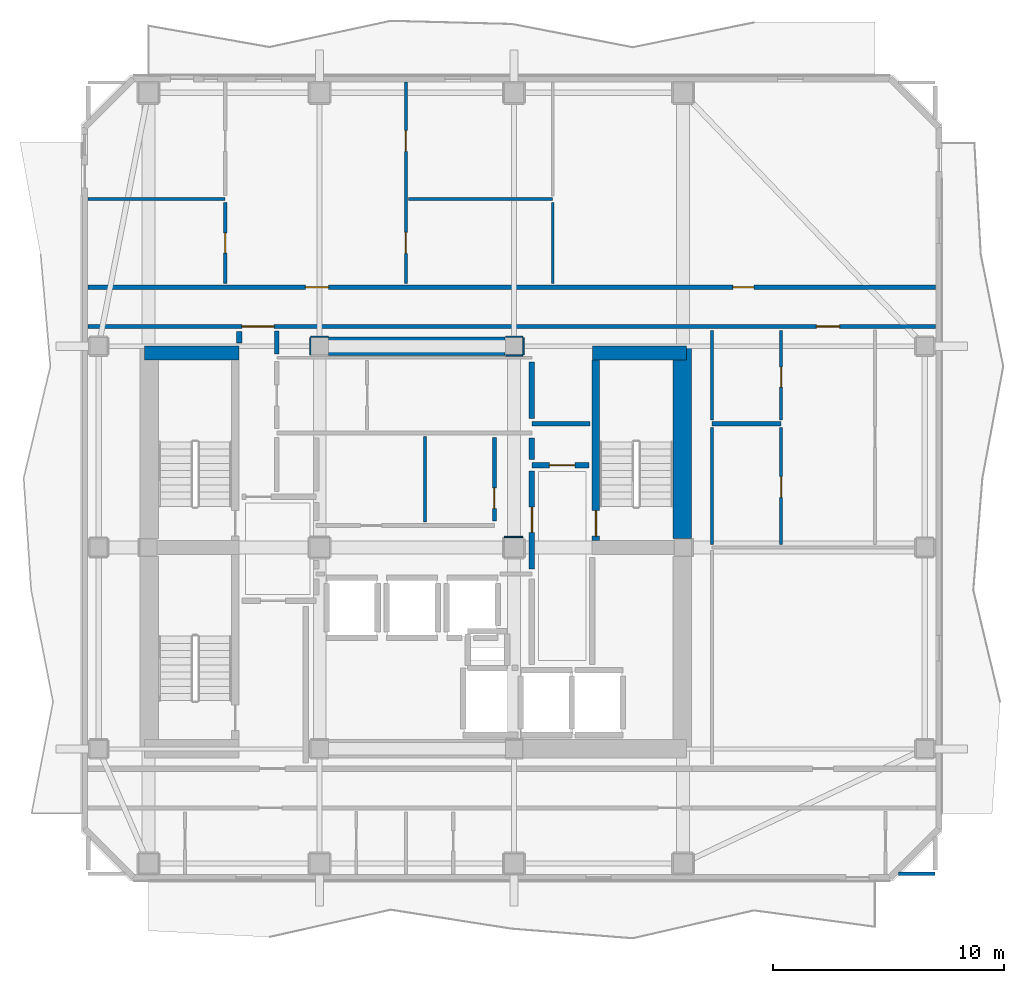
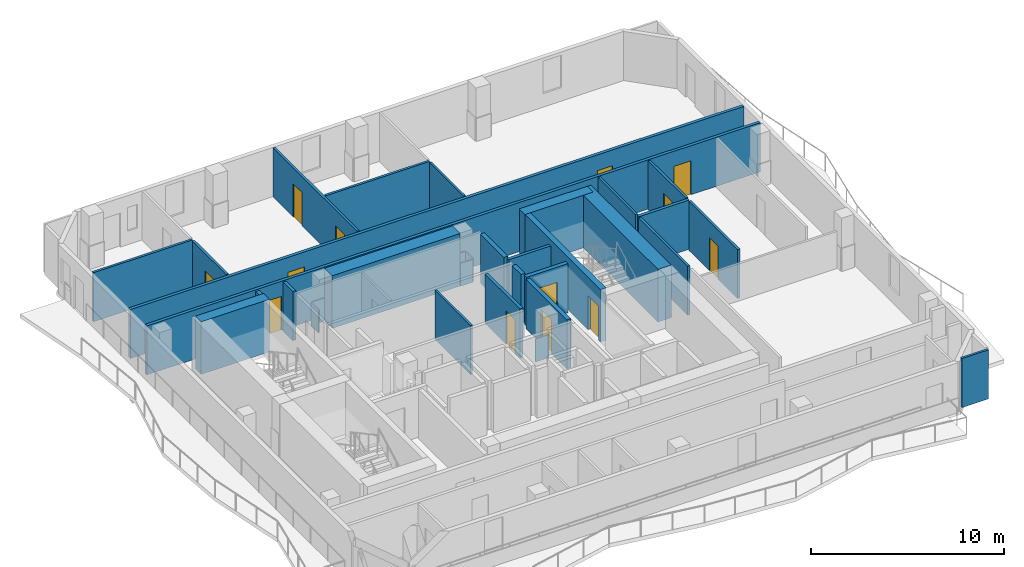
# One storey, part 4 of 9: 33 walls, 13 doors, 13 openings.
"""IFC4 building model written with IfcOpenShell, lengths in metres."""

from ifc_helpers import new_model, si_unit, direction, frame, frame_2d, origin, place, context, subcontext, project, spatial, rectangle, extrude, material, layer, layer_set, type_object, element, fill, save


model = new_model("IFC4")

# Units and contexts
model_context = context("Model", 3, precision=1e-05, world=origin(), true_north=direction((0.0, 1.0)))
body_context = subcontext(model_context, "Body", "Model", "MODEL_VIEW")
ifc_project = project(units=[si_unit("LENGTHUNIT", "METRE"), si_unit("AREAUNIT", "SQUARE_METRE"), si_unit("VOLUMEUNIT", "CUBIC_METRE"), si_unit("PLANEANGLEUNIT", "RADIAN"), si_unit("MASSUNIT", "GRAM", prefix="KILO")], contexts=[model_context])

# Site, building, storey
site_placement = place(None, origin())
site = spatial("IfcSite", under=ifc_project, at=site_placement, CompositionType="ELEMENT")
building_placement = place(site_placement, origin())
building = spatial("IfcBuilding", under=site, at=building_placement, Name="Solanera Arch Residences", CompositionType="ELEMENT")
storey_placement = place(building_placement, frame((0.0, 0.0, 237.919921875)))
storey = spatial("IfcBuildingStorey", under=building, at=storey_placement, Name="L69", CompositionType="ELEMENT", Elevation=237.919921875)

# Walls
ifc_material_1 = material(Name="Fire-Rated Gypsum Stud Partition", Category="gypsum")
ifc_layer_1 = layer(ifc_material_1, 0.06005859375)
ifc_layer_set_1 = layer_set([ifc_layer_1], Name="Fire-Rated Gypsum Stud Partition")
wall_type_1 = type_object("IfcWallType", Name="Column Acoustic Furring Wall 60", PredefinedType="PARTITIONING", material=ifc_layer_set_1)
wall_1_placement = place(storey_placement, frame((20.425048828125, 39.806884765625, 0.0), z_axis=(0.0, 0.0, 1.0), x_axis=(1.0, 0.0, 0.0)))
element("IfcWall", 1, at=wall_1_placement, inside=storey, type_object=wall_type_1, Name="L69 Column Furring 3N", PredefinedType="PARTITIONING", context=body_context, shape_type="SweptSolid", body=[
    extrude(rectangle(XDim=0.741943359375, YDim=0.06005859375, at=frame_2d((0.37109375, 0.0))), origin(), (0.0, 0.0, 1.0), 1.4501953125),
])
wall_2_placement = place(storey_placement, frame((20.39306640625, 39.02490234375, 0.0), z_axis=(0.0, 0.0, 1.0), x_axis=(0.0, 1.0, 0.0)))
element("IfcWall", 2, at=wall_2_placement, inside=storey, type_object=wall_type_1, Name="L69 Column Furring 3W", PredefinedType="PARTITIONING", context=body_context, shape_type="SweptSolid", body=[
    extrude(rectangle(XDim=0.75, YDim=0.06005859375, at=frame_2d((0.375, 0.0))), origin(), (0.0, 0.0, 1.0), 1.4501953125),
])
for number, where, z_axis, x_axis, name in (
    (3, (28.8330078125, 38.992919921875, 0.0), (0.0, 0.0, 1.0), (1.0, 0.0, 0.0), "L69 Column Furring 4S"),
    (4, (28.8330078125, 39.806884765625, 0.0), (0.0, 0.0, 1.0), (1.0, 0.0, 0.0), "L69 Column Furring 4N"),
):
    element("IfcWall", number, at=place(storey_placement, frame(where, z_axis=z_axis, x_axis=x_axis)), inside=storey, type_object=wall_type_1, Name=name, PredefinedType="PARTITIONING", context=body_context, shape_type="SweptSolid", body=[
        extrude(rectangle(XDim=0.741943359375, YDim=0.06005859375, at=frame_2d((0.37109375, 0.0))), origin(), (0.0, 0.0, 1.0), 1.4501953125),
    ])
wall_3_placement = place(storey_placement, frame((29.60693359375, 39.02490234375, 0.0), z_axis=(0.0, 0.0, 1.0), x_axis=(0.0, 1.0, 0.0)))
element("IfcWall", 5, at=wall_3_placement, inside=storey, type_object=wall_type_1, Name="L69 Column Furring 4E", PredefinedType="PARTITIONING", context=body_context, shape_type="SweptSolid", body=[
    extrude(rectangle(XDim=0.75, YDim=0.06005859375, at=frame_2d((0.375, 0.0))), origin(), (0.0, 0.0, 1.0), 1.4501953125),
])
wall_4_placement = place(storey_placement, frame((28.77490234375, 31.156982421875, 0.0), z_axis=(0.0, 0.0, 1.0), x_axis=(1.0, 0.0, 0.0)))
element("IfcWall", 6, at=wall_4_placement, inside=storey, type_object=wall_type_1, Name="L69 Column Furring 8N", PredefinedType="PARTITIONING", context=body_context, shape_type="SweptSolid", body=[
    extrude(rectangle(XDim=0.794189453125, YDim=0.06005859375, at=frame_2d((0.39697265625, 0.0))), origin(), (0.0, 0.0, 1.0), 1.4501953125),
])

# Wall, opening, door
ifc_material_2 = material(Name="Concrete C40/50 (f'c = 45 MPa)", Category="concrete")
ifc_layer_2 = layer(ifc_material_2, 0.320068359375)
ifc_layer_set_2 = layer_set([ifc_layer_2], Name="Concrete C40/50 (f'c = 45 MPa)")
wall_type_2 = type_object("IfcWallType", Name="Core Shear Wall CW-320", PredefinedType="SHEAR", material=ifc_layer_set_2)
wall_5_placement = place(storey_placement, frame((32.739990234375, 31.0, 0.0), z_axis=(0.0, 0.0, 1.0), x_axis=(0.0, 1.0, 0.0)))
wall_5 = element("IfcWall", 7, at=wall_5_placement, inside=storey, type_object=wall_type_2, Name="L69 Stair ST-T2 West Shear Wall", PredefinedType="SHEAR", context=body_context, shape_type="SweptSolid", body=[
    extrude(rectangle(XDim=7.800048828125, YDim=0.320068359375, at=frame_2d((3.89990234375, 0.0))), origin(), (0.0, 0.0, 1.0), 3.320068359375),
])
opening_1_placement = place(wall_5_placement, frame((0.18994140625, 0.0, 0.0)))
opening_1 = element("IfcOpeningElement", 8, at=opening_1_placement, cuts=wall_5, Name="Opening DF-01", PredefinedType="OPENING", context=body_context, shape_type="SweptSolid", body=[
    extrude(rectangle(XDim=1.10009765625, YDim=2.14990234375, at=frame_2d((0.550048828125, 1.074951171875))), frame((0.0, 0.169921875, 0.0), z_axis=(0.0, -1.0, 0.0), x_axis=(1.0, 0.0, 0.0)), (0.0, 0.0, 1.0), 0.3401),
])
ifc_material_3 = material(Name="Fire-Rated Architectural Hardwood", Category="wood")
door_type_1 = type_object("IfcDoorType", Name="Stair Exit Fire Door DF-01", OperationType="NOTDEFINED", PredefinedType="DOOR", material=ifc_material_3)
door_1_placement = place(opening_1_placement, origin())
door_1 = element("IfcDoor", 9, at=door_1_placement, inside=storey, type_object=door_type_1, Name="DR-L69-STAIR-ST-T2", OperationType="SINGLE_SWING_RIGHT", OverallHeight=2.14990234375, OverallWidth=1.10009765625, PredefinedType="DOOR", context=body_context, shape_type="SweptSolid", body=[
    extrude(rectangle(XDim=1.10009765625, YDim=2.14990234375, at=frame_2d((0.550048828125, 1.074951171875))), frame((0.0, 0.02490234375, 0.0), z_axis=(0.0, -1.0, 0.0), x_axis=(1.0, 0.0, 0.0)), (0.0, 0.0, 1.0), 0.050048828125),
])
fill(opening_1, door_1)

# Walls
ifc_material_4 = material(Name="Concrete C40/50 (f'c = 45 MPa)", Category="concrete")
ifc_layer_3 = layer(ifc_material_4, 0.60009765625)
ifc_layer_set_3 = layer_set([ifc_layer_3], Name="Concrete C40/50 (f'c = 45 MPa)")
wall_type_3 = type_object("IfcWallType", Name="Core Shear Wall CW-600", PredefinedType="SHEAR", material=ifc_layer_set_3)
wall_6_placement = place(storey_placement, frame((13.239990234375, 39.10009765625, 0.0), z_axis=(0.0, 0.0, 1.0), x_axis=(1.0, 0.0, 0.0)))
element("IfcWall", 10, at=wall_6_placement, inside=storey, type_object=wall_type_3, Name="L69 North-West Core Shear Wall", PredefinedType="SHEAR", context=body_context, shape_type="SweptSolid", body=[
    extrude(rectangle(XDim=4.080078125, YDim=0.60009765625, at=frame_2d((2.0400390625, 0.0))), origin(), (0.0, 0.0, 1.0), 3.320068359375),
])
wall_7_placement = place(storey_placement, frame((32.580078125, 39.10009765625, 0.0), z_axis=(0.0, 0.0, 1.0), x_axis=(1.0, 0.0, 0.0)))
element("IfcWall", 11, at=wall_7_placement, inside=storey, type_object=wall_type_3, Name="L69 North-East Core Shear Wall", PredefinedType="SHEAR", context=body_context, shape_type="SweptSolid", body=[
    extrude(rectangle(XDim=4.079833984375, YDim=0.60009765625, at=frame_2d((2.0400390625, 0.0))), origin(), (0.0, 0.0, 1.0), 3.320068359375),
])
ifc_material_5 = material(Name="Concrete C40/50 (f'c = 45 MPa)", Category="concrete")
ifc_layer_4 = layer(ifc_material_5, 0.800048828125)
ifc_layer_set_4 = layer_set([ifc_layer_4], Name="Concrete C40/50 (f'c = 45 MPa)")
wall_type_4 = type_object("IfcWallType", Name="Core Shear Wall CW-800", PredefinedType="SHEAR", material=ifc_layer_set_4)
wall_8_placement = place(storey_placement, frame((36.4599609375, 31.080078125, 0.0), z_axis=(0.0, 0.0, 1.0), x_axis=(0.0, 1.0, 0.0)))
element("IfcWall", 12, at=wall_8_placement, inside=storey, type_object=wall_type_4, Name="L69 East Core North Shear Wall", PredefinedType="SHEAR", context=body_context, shape_type="SweptSolid", body=[
    extrude(rectangle(XDim=8.31982421875, YDim=0.800048828125, at=frame_2d((4.159912109375, 0.0))), origin(), (0.0, 0.0, 1.0), 3.320068359375),
])
wall_9_placement = place(storey_placement, frame((21.179931640625, 39.39990234375, 0.0), z_axis=(0.0, 0.0, 1.0), x_axis=(1.0, 0.0, 0.0)))
element("IfcWall", 13, at=wall_9_placement, inside=storey, type_object=wall_type_4, Name="L69 Central North Core Shear Wall", PredefinedType="SHEAR", context=body_context, shape_type="SweptSolid", body=[
    extrude(rectangle(XDim=7.64013671875, YDim=0.800048828125, at=frame_2d((3.820068359375, 0.0))), origin(), (0.0, 0.0, 1.0), 3.320068359375),
])
ifc_material_6 = material(Name="Autoclaved Aerated Concrete Blockwork", Category="masonry")
ifc_layer_5 = layer(ifc_material_6, 0.179931640625)
ifc_layer_set_5 = layer_set([ifc_layer_5], Name="Autoclaved Aerated Concrete Blockwork")
wall_type_5 = type_object("IfcWallType", Name="Corridor Fire Partition 180", PredefinedType="PARTITIONING", material=ifc_layer_set_5)
wall_10_placement = place(storey_placement, frame((29.97509765625, 36.050048828125, 0.0), z_axis=(0.0, 0.0, 1.0), x_axis=(1.0, 0.0, 0.0)))
element("IfcWall", 14, at=wall_10_placement, inside=storey, type_object=wall_type_5, Name="L69 Interior Partition H10", PredefinedType="PARTITIONING", context=body_context, shape_type="SweptSolid", body=[
    extrude(rectangle(XDim=2.5048828125, YDim=0.179931640625, at=frame_2d((1.25244140625, 0.0))), origin(), (0.0, 0.0, 1.0), 3.10009765625),
])
wall_11_placement = place(storey_placement, frame((37.75, 36.050048828125, 0.0), z_axis=(0.0, 0.0, 1.0), x_axis=(1.0, 0.0, 0.0)))
element("IfcWall", 15, at=wall_11_placement, inside=storey, type_object=wall_type_5, Name="L69 Interior Partition H11", PredefinedType="PARTITIONING", context=body_context, shape_type="SweptSolid", body=[
    extrude(rectangle(XDim=2.991943359375, YDim=0.179931640625, at=frame_2d((1.49609375, 0.0))), origin(), (0.0, 0.0, 1.0), 3.10009765625),
])

# Wall, openings, doors
wall_12_placement = place(storey_placement, frame((10.787109375, 40.25, 0.0), z_axis=(0.0, 0.0, 1.0), x_axis=(1.0, 0.0, 0.0)))
wall_12 = element("IfcWall", 16, at=wall_12_placement, inside=storey, type_object=wall_type_5, Name="L69 Interior Partition H12", PredefinedType="PARTITIONING", context=body_context, shape_type="SweptSolid", body=[
    extrude(rectangle(XDim=36.6259765625, YDim=0.179931640625, at=frame_2d((18.31298828125, 0.0))), origin(), (0.0, 0.0, 1.0), 3.10009765625),
])
opening_2_placement = place(wall_12_placement, frame((6.64794921875, 0.0, 0.0)))
opening_2 = element("IfcOpeningElement", 17, at=opening_2_placement, cuts=wall_12, Name="Opening DF-03", PredefinedType="OPENING", context=body_context, shape_type="SweptSolid", body=[
    extrude(rectangle(XDim=1.39990234375, YDim=2.14990234375, at=frame_2d((0.699951171875, 1.074951171875))), frame((0.0, 0.10009765625, 0.0), z_axis=(0.0, -1.0, 0.0), x_axis=(1.0, 0.0, 0.0)), (0.0, 0.0, 1.0), 0.1999),
])
opening_3_placement = place(wall_12_placement, frame((31.48193359375, 0.0, 0.0)))
opening_3 = element("IfcOpeningElement", 18, at=opening_3_placement, cuts=wall_12, Name="Opening DI-01", PredefinedType="OPENING", context=body_context, shape_type="SweptSolid", body=[
    extrude(rectangle(XDim=1.0, YDim=2.14990234375, at=frame_2d((0.5, 1.074951171875))), frame((0.0, 0.10009765625, 0.0), z_axis=(0.0, -1.0, 0.0), x_axis=(1.0, 0.0, 0.0)), (0.0, 0.0, 1.0), 0.1999),
])
ifc_material_7 = material(Name="Fire-Rated Architectural Hardwood", Category="wood")
door_type_2 = type_object("IfcDoorType", Name="Corridor Smoke Door DF-03", OperationType="NOTDEFINED", PredefinedType="DOOR", material=ifc_material_7)
door_2_placement = place(opening_2_placement, origin())
door_2 = element("IfcDoor", 19, at=door_2_placement, inside=storey, type_object=door_type_2, Name="DR-L69-IN-009", OperationType="SINGLE_SWING_LEFT", OverallHeight=2.14990234375, OverallWidth=1.39990234375, PredefinedType="DOOR", context=body_context, shape_type="SweptSolid", body=[
    extrude(rectangle(XDim=1.39990234375, YDim=2.14990234375, at=frame_2d((0.699951171875, 1.074951171875))), frame((0.0, 0.02490234375, 0.0), z_axis=(0.0, -1.0, 0.0), x_axis=(1.0, 0.0, 0.0)), (0.0, 0.0, 1.0), 0.050048828125),
])
fill(opening_2, door_2)
ifc_material_8 = material(Name="Fire-Rated Architectural Hardwood", Category="wood")
door_type_3 = type_object("IfcDoorType", Name="Unit Entrance Fire Door DI-01", OperationType="NOTDEFINED", PredefinedType="DOOR", material=ifc_material_8)
door_3_placement = place(opening_3_placement, origin())
door_3 = element("IfcDoor", 20, at=door_3_placement, inside=storey, type_object=door_type_3, Name="DR-L69-IN-027", OperationType="SINGLE_SWING_LEFT", OverallHeight=2.14990234375, OverallWidth=1.0, PredefinedType="DOOR", context=body_context, shape_type="SweptSolid", body=[
    extrude(rectangle(XDim=1.0, YDim=2.14990234375, at=frame_2d((0.5, 1.074951171875))), frame((0.0, 0.02490234375, 0.0), z_axis=(0.0, -1.0, 0.0), x_axis=(1.0, 0.0, 0.0)), (0.0, 0.0, 1.0), 0.050048828125),
])
fill(opening_3, door_3)

wall_13_placement = place(storey_placement, frame((10.787109375, 41.949951171875, 0.0), z_axis=(0.0, 0.0, 1.0), x_axis=(1.0, 0.0, 0.0)))
wall_13 = element("IfcWall", 21, at=wall_13_placement, inside=storey, type_object=wall_type_5, Name="L69 Interior Partition H13", PredefinedType="PARTITIONING", context=body_context, shape_type="SweptSolid", body=[
    extrude(rectangle(XDim=36.6259765625, YDim=0.179931640625, at=frame_2d((18.31298828125, 0.0))), origin(), (0.0, 0.0, 1.0), 3.10009765625),
])
opening_4_placement = place(wall_13_placement, frame((9.39599609375, 0.0, 0.0)))
opening_4 = element("IfcOpeningElement", 22, at=opening_4_placement, cuts=wall_13, Name="Opening DI-01", PredefinedType="OPENING", context=body_context, shape_type="SweptSolid", body=[
    extrude(rectangle(XDim=1.0, YDim=2.14990234375, at=frame_2d((0.5, 1.074951171875))), frame((0.0, 0.10009765625, 0.0), z_axis=(0.0, -1.0, 0.0), x_axis=(1.0, 0.0, 0.0)), (0.0, 0.0, 1.0), 0.1999),
])
opening_5_placement = place(wall_13_placement, frame((27.8740234375, 0.0, 0.0)))
opening_5 = element("IfcOpeningElement", 23, at=opening_5_placement, cuts=wall_13, Name="Opening DI-02", PredefinedType="OPENING", context=body_context, shape_type="SweptSolid", body=[
    extrude(rectangle(XDim=0.89990234375, YDim=2.10009765625, at=frame_2d((0.449951171875, 1.050048828125))), frame((0.0, 0.10009765625, 0.0), z_axis=(0.0, -1.0, 0.0), x_axis=(1.0, 0.0, 0.0)), (0.0, 0.0, 1.0), 0.1999),
])
ifc_material_9 = material(Name="Fire-Rated Architectural Hardwood", Category="wood")
door_type_4 = type_object("IfcDoorType", Name="Suite Room Swing Door DI-02", OperationType="NOTDEFINED", PredefinedType="DOOR", material=ifc_material_9)
door_4_placement = place(opening_5_placement, origin())
door_4 = element("IfcDoor", 24, at=door_4_placement, inside=storey, type_object=door_type_4, Name="DR-L69-IN-025", OperationType="SINGLE_SWING_LEFT", OverallHeight=2.10009765625, OverallWidth=0.89990234375, PredefinedType="DOOR", context=body_context, shape_type="SweptSolid", body=[
    extrude(rectangle(XDim=0.89990234375, YDim=2.10009765625, at=frame_2d((0.449951171875, 1.050048828125))), frame((0.0, 0.02490234375, 0.0), z_axis=(0.0, -1.0, 0.0), x_axis=(1.0, 0.0, 0.0)), (0.0, 0.0, 1.0), 0.050048828125),
])
fill(opening_5, door_4)
door_5_placement = place(opening_4_placement, origin())
door_5 = element("IfcDoor", 25, at=door_5_placement, inside=storey, type_object=door_type_3, Name="DR-L69-IN-020", OperationType="SINGLE_SWING_RIGHT", OverallHeight=2.14990234375, OverallWidth=1.0, PredefinedType="DOOR", context=body_context, shape_type="SweptSolid", body=[
    extrude(rectangle(XDim=1.0, YDim=2.14990234375, at=frame_2d((0.5, 1.074951171875))), frame((0.0, 0.02490234375, 0.0), z_axis=(0.0, -1.0, 0.0), x_axis=(1.0, 0.0, 0.0)), (0.0, 0.0, 1.0), 0.050048828125),
])
fill(opening_4, door_5)

# Wall
wall_14_placement = place(storey_placement, frame((18.949951171875, 39.05810546875, 0.0), z_axis=(0.0, 0.0, 1.0), x_axis=(0.0, 1.0, 0.0)))
element("IfcWall", 26, at=wall_14_placement, inside=storey, type_object=wall_type_5, Name="L69 Interior Partition V8 3", PredefinedType="PARTITIONING", context=body_context, shape_type="SweptSolid", body=[
    extrude(rectangle(XDim=1.00390625, YDim=0.179931640625, at=frame_2d((0.501953125, 0.0))), origin(), (0.0, 0.0, 1.0), 3.10009765625),
])

# Wall, opening, door
wall_15_placement = place(storey_placement, frame((28.35009765625, 31.837890625, 0.0), z_axis=(0.0, 0.0, 1.0), x_axis=(0.0, 1.0, 0.0)))
wall_15 = element("IfcWall", 27, at=wall_15_placement, inside=storey, type_object=wall_type_5, Name="L69 Interior Partition V9", PredefinedType="PARTITIONING", context=body_context, shape_type="SweptSolid", body=[
    extrude(rectangle(XDim=3.6240234375, YDim=0.179931640625, at=frame_2d((1.81201171875, 0.0))), origin(), (0.0, 0.0, 1.0), 3.10009765625),
])
opening_6_placement = place(wall_15_placement, frame((0.541015625, 0.0, 0.0)))
opening_6 = element("IfcOpeningElement", 28, at=opening_6_placement, cuts=wall_15, Name="Opening DI-02", PredefinedType="OPENING", context=body_context, shape_type="SweptSolid", body=[
    extrude(rectangle(XDim=0.89990234375, YDim=2.10009765625, at=frame_2d((0.449951171875, 1.050048828125))), frame((0.0, 0.10009765625, 0.0), z_axis=(0.0, -1.0, 0.0), x_axis=(1.0, 0.0, 0.0)), (0.0, 0.0, 1.0), 0.1999),
])
door_6_placement = place(opening_6_placement, origin())
door_6 = element("IfcDoor", 29, at=door_6_placement, inside=storey, type_object=door_type_4, Name="DR-L69-IN-013", OperationType="SINGLE_SWING_LEFT", OverallHeight=2.10009765625, OverallWidth=0.89990234375, PredefinedType="DOOR", context=body_context, shape_type="SweptSolid", body=[
    extrude(rectangle(XDim=0.89990234375, YDim=2.10009765625, at=frame_2d((0.449951171875, 1.050048828125))), frame((0.0, 0.02490234375, 0.0), z_axis=(0.0, -1.0, 0.0), x_axis=(1.0, 0.0, 0.0)), (0.0, 0.0, 1.0), 0.050048828125),
])
fill(opening_6, door_6)

ifc_material_10 = material(Name="Autoclaved Aerated Concrete Blockwork", Category="masonry")
ifc_layer_6 = layer(ifc_material_10, 0.239990234375)
ifc_layer_set_6 = layer_set([ifc_layer_6], Name="Autoclaved Aerated Concrete Blockwork")
wall_type_6 = type_object("IfcWallType", Name="Shaft Wall Fire-Rated 240", PredefinedType="PARTITIONING", material=ifc_layer_set_6)
wall_16_placement = place(storey_placement, frame((29.97509765625, 34.25, 0.0), z_axis=(0.0, 0.0, 1.0), x_axis=(1.0, 0.0, 0.0)))
wall_16 = element("IfcWall", 30, at=wall_16_placement, inside=storey, type_object=wall_type_6, Name="L69 Interior Partition H5", PredefinedType="PARTITIONING", context=body_context, shape_type="SweptSolid", body=[
    extrude(rectangle(XDim=2.474853515625, YDim=0.239990234375, at=frame_2d((1.2373046875, 0.0))), origin(), (0.0, 0.0, 1.0), 3.10009765625),
])
opening_7_placement = place(wall_16_placement, frame((0.751953125, 0.0, 0.0)))
opening_7 = element("IfcOpeningElement", 31, at=opening_7_placement, cuts=wall_16, Name="Opening DF-02", PredefinedType="OPENING", context=body_context, shape_type="SweptSolid", body=[
    extrude(rectangle(XDim=1.10009765625, YDim=2.14990234375, at=frame_2d((0.550048828125, 1.074951171875))), frame((0.0, 0.1298828125, 0.0), z_axis=(0.0, -1.0, 0.0), x_axis=(1.0, 0.0, 0.0)), (0.0, 0.0, 1.0), 0.26),
])
ifc_material_11 = material(Name="Fire-Rated Architectural Hardwood", Category="wood")
door_type_5 = type_object("IfcDoorType", Name="Firefighting Lobby Fire Door DF-02", OperationType="NOTDEFINED", PredefinedType="DOOR", material=ifc_material_11)
door_7_placement = place(opening_7_placement, origin())
door_7 = element("IfcDoor", 32, at=door_7_placement, inside=storey, type_object=door_type_5, Name="DR-L69-IN-007", OperationType="SINGLE_SWING_LEFT", OverallHeight=2.14990234375, OverallWidth=1.10009765625, PredefinedType="DOOR", context=body_context, shape_type="SweptSolid", body=[
    extrude(rectangle(XDim=1.10009765625, YDim=2.14990234375, at=frame_2d((0.550048828125, 1.074951171875))), frame((0.0, 0.02490234375, 0.0), z_axis=(0.0, -1.0, 0.0), x_axis=(1.0, 0.0, 0.0)), (0.0, 0.0, 1.0), 0.050048828125),
])
fill(opening_7, door_7)

# Wall
wall_17_placement = place(storey_placement, frame((17.320068359375, 39.530029296875, 0.0), z_axis=(0.0, 0.0, 1.0), x_axis=(0.0, 1.0, 0.0)))
element("IfcWall", 33, at=wall_17_placement, inside=storey, type_object=wall_type_6, Name="L69 Interior Partition V1", PredefinedType="PARTITIONING", context=body_context, shape_type="SweptSolid", body=[
    extrude(rectangle(XDim=0.501953125, YDim=0.239990234375, at=frame_2d((0.2509765625, 0.0))), origin(), (0.0, 0.0, 1.0), 3.10009765625),
])

# Wall, opening, door
wall_18_placement = place(storey_placement, frame((29.97509765625, 29.76806640625, 0.0), z_axis=(0.0, 0.0, 1.0), x_axis=(0.0, 1.0, 0.0)))
wall_18 = element("IfcWall", 34, at=wall_18_placement, inside=storey, type_object=wall_type_6, Name="L69 Interior Partition V4 2", PredefinedType="PARTITIONING", context=body_context, shape_type="SweptSolid", body=[
    extrude(rectangle(XDim=4.23388671875, YDim=0.239990234375, at=frame_2d((2.116943359375, 0.0))), origin(), (0.0, 0.0, 1.0), 3.10009765625),
])
opening_8_placement = place(wall_18_placement, frame((1.58203125, 0.0, 0.0)))
opening_8 = element("IfcOpeningElement", 35, at=opening_8_placement, cuts=wall_18, Name="Opening DF-02", PredefinedType="OPENING", context=body_context, shape_type="SweptSolid", body=[
    extrude(rectangle(XDim=1.10009765625, YDim=2.14990234375, at=frame_2d((0.550048828125, 1.074951171875))), frame((0.0, 0.1298828125, 0.0), z_axis=(0.0, -1.0, 0.0), x_axis=(1.0, 0.0, 0.0)), (0.0, 0.0, 1.0), 0.26),
])
door_8_placement = place(opening_8_placement, origin())
door_8 = element("IfcDoor", 36, at=door_8_placement, inside=storey, type_object=door_type_5, Name="DR-L69-IN-006", OperationType="SINGLE_SWING_RIGHT", OverallHeight=2.14990234375, OverallWidth=1.10009765625, PredefinedType="DOOR", context=body_context, shape_type="SweptSolid", body=[
    extrude(rectangle(XDim=1.10009765625, YDim=2.14990234375, at=frame_2d((0.550048828125, 1.074951171875))), frame((0.0, 0.02490234375, 0.0), z_axis=(0.0, -1.0, 0.0), x_axis=(1.0, 0.0, 0.0)), (0.0, 0.0, 1.0), 0.050048828125),
])
fill(opening_8, door_8)

# Walls
wall_19_placement = place(storey_placement, frame((29.97509765625, 34.498046875, 0.0), z_axis=(0.0, 0.0, 1.0), x_axis=(0.0, 1.0, 0.0)))
element("IfcWall", 37, at=wall_19_placement, inside=storey, type_object=wall_type_6, Name="L69 Interior Partition V4 3", PredefinedType="PARTITIONING", context=body_context, shape_type="SweptSolid", body=[
    extrude(rectangle(XDim=0.933837890625, YDim=0.239990234375, at=frame_2d((0.466796875, 0.0))), origin(), (0.0, 0.0, 1.0), 3.10009765625),
])
wall_20_placement = place(storey_placement, frame((29.97509765625, 36.26806640625, 0.0), z_axis=(0.0, 0.0, 1.0), x_axis=(0.0, 1.0, 0.0)))
element("IfcWall", 38, at=wall_20_placement, inside=storey, type_object=wall_type_6, Name="L69 Interior Partition V4 4", PredefinedType="PARTITIONING", context=body_context, shape_type="SweptSolid", body=[
    extrude(rectangle(XDim=2.44384765625, YDim=0.239990234375, at=frame_2d((1.221923828125, 0.0))), origin(), (0.0, 0.0, 1.0), 3.10009765625),
])
ifc_material_12 = material(Name="Fire-Rated Gypsum Stud Partition", Category="gypsum")
ifc_layer_7 = layer(ifc_material_12, 0.1201171875)
ifc_layer_set_7 = layer_set([ifc_layer_7], Name="Fire-Rated Gypsum Stud Partition")
wall_type_7 = type_object("IfcWallType", Name="Unit Drywall Partition 120", PredefinedType="PARTITIONING", material=ifc_layer_set_7)
wall_21_placement = place(storey_placement, frame((25.35009765625, 31.80810546875, 0.0), z_axis=(0.0, 0.0, 1.0), x_axis=(0.0, 1.0, 0.0)))
element("IfcWall", 39, at=wall_21_placement, inside=storey, type_object=wall_type_7, Name="L69 Interior Partition V20", PredefinedType="PARTITIONING", context=body_context, shape_type="SweptSolid", body=[
    extrude(rectangle(XDim=3.683837890625, YDim=0.1201171875, at=frame_2d((1.841796875, 0.0))), origin(), (0.0, 0.0, 1.0), 3.10009765625),
])
wall_22_placement = place(storey_placement, frame((30.8701171875, 42.10791015625, 0.0), z_axis=(0.0, 0.0, 1.0), x_axis=(0.0, 1.0, 0.0)))
element("IfcWall", 40, at=wall_22_placement, inside=storey, type_object=wall_type_7, Name="L69 Interior Partition V21 1", PredefinedType="PARTITIONING", context=body_context, shape_type="SweptSolid", body=[
    extrude(rectangle(XDim=3.510009765625, YDim=0.1201171875, at=frame_2d((1.7548828125, 0.0))), origin(), (0.0, 0.0, 1.0), 3.10009765625),
])
ifc_material_13 = material(Name="Autoclaved Aerated Concrete Blockwork", Category="masonry")
ifc_layer_8 = layer(ifc_material_13, 0.139892578125)
ifc_layer_set_8 = layer_set([ifc_layer_8], Name="Autoclaved Aerated Concrete Blockwork")
wall_type_8 = type_object("IfcWallType", Name="Wet-Room Partition 140", PredefinedType="PARTITIONING", material=ifc_layer_set_8)
wall_23_placement = place(storey_placement, frame((45.81103515625, 16.60009765625, 0.0), z_axis=(0.0, 0.0, 1.0), x_axis=(1.0, 0.0, 0.0)))
element("IfcWall", 41, at=wall_23_placement, inside=storey, type_object=wall_type_8, Name="L69 Interior Partition H14 2", PredefinedType="PARTITIONING", context=body_context, shape_type="SweptSolid", body=[
    extrude(rectangle(XDim=1.5888671875, YDim=0.139892578125, at=frame_2d((0.79443359375, 0.0))), origin(), (0.0, 0.0, 1.0), 3.10009765625),
])
wall_24_placement = place(storey_placement, frame((10.787109375, 45.756103515625, 0.0), z_axis=(0.0, 0.0, 1.0), x_axis=(1.0, 0.0, 0.0)))
element("IfcWall", 42, at=wall_24_placement, inside=storey, type_object=wall_type_8, Name="L69 Interior Partition H15", PredefinedType="PARTITIONING", context=body_context, shape_type="SweptSolid", body=[
    extrude(rectangle(XDim=5.930908203125, YDim=0.139892578125, at=frame_2d((2.96533203125, 0.0))), origin(), (0.0, 0.0, 1.0), 3.10009765625),
])
wall_25_placement = place(storey_placement, frame((24.64794921875, 45.756103515625, 0.0), z_axis=(0.0, 0.0, 1.0), x_axis=(1.0, 0.0, 0.0)))
element("IfcWall", 43, at=wall_25_placement, inside=storey, type_object=wall_type_8, Name="L69 Interior Partition H16", PredefinedType="PARTITIONING", context=body_context, shape_type="SweptSolid", body=[
    extrude(rectangle(XDim=6.22216796875, YDim=0.139892578125, at=frame_2d((3.111083984375, 0.0))), origin(), (0.0, 0.0, 1.0), 3.10009765625),
])

# Wall, opening, door
wall_26_placement = place(storey_placement, frame((16.718017578125, 42.117919921875, 0.0), z_axis=(0.0, 0.0, 1.0), x_axis=(0.0, 1.0, 0.0)))
wall_26 = element("IfcWall", 44, at=wall_26_placement, inside=storey, type_object=wall_type_8, Name="L69 Interior Partition V12 1", PredefinedType="PARTITIONING", context=body_context, shape_type="SweptSolid", body=[
    extrude(rectangle(XDim=3.489990234375, YDim=0.139892578125, at=frame_2d((1.7451171875, 0.0))), origin(), (0.0, 0.0, 1.0), 3.10009765625),
])
opening_9_placement = place(wall_26_placement, frame((1.318115234375, 0.0, 0.0)))
opening_9 = element("IfcOpeningElement", 45, at=opening_9_placement, cuts=wall_26, Name="Opening DI-05", PredefinedType="OPENING", context=body_context, shape_type="SweptSolid", body=[
    extrude(rectangle(XDim=0.860107421875, YDim=2.02001953125, at=frame_2d((0.43017578125, 1.010009765625))), frame((0.0, 0.079833984375, 0.0), z_axis=(0.0, -1.0, 0.0), x_axis=(1.0, 0.0, 0.0)), (0.0, 0.0, 1.0), 0.1599),
])
ifc_material_14 = material(Name="Fire-Rated Architectural Hardwood", Category="wood")
door_type_6 = type_object("IfcDoorType", Name="Bathroom Swing Door DI-05", OperationType="NOTDEFINED", PredefinedType="DOOR", material=ifc_material_14)
door_9_placement = place(opening_9_placement, origin())
door_9 = element("IfcDoor", 46, at=door_9_placement, inside=storey, type_object=door_type_6, Name="DR-L69-IN-021", OperationType="SINGLE_SWING_LEFT", OverallHeight=2.02001953125, OverallWidth=0.860107421875, PredefinedType="DOOR", context=body_context, shape_type="SweptSolid", body=[
    extrude(rectangle(XDim=0.860107421875, YDim=2.02001953125, at=frame_2d((0.43017578125, 1.010009765625))), frame((0.0, 0.02490234375, 0.0), z_axis=(0.0, -1.0, 0.0), x_axis=(1.0, 0.0, 0.0)), (0.0, 0.0, 1.0), 0.050048828125),
])
fill(opening_9, door_9)

# Wall, openings, doors
wall_27_placement = place(storey_placement, frame((24.528076171875, 42.117919921875, 0.0), z_axis=(0.0, 0.0, 1.0), x_axis=(0.0, 1.0, 0.0)))
wall_27 = element("IfcWall", 47, at=wall_27_placement, inside=storey, type_object=wall_type_8, Name="L69 Interior Partition V14", PredefinedType="PARTITIONING", context=body_context, shape_type="SweptSolid", body=[
    extrude(rectangle(XDim=8.695068359375, YDim=0.139892578125, at=frame_2d((4.34765625, 0.0))), origin(), (0.0, 0.0, 1.0), 3.10009765625),
])
opening_10_placement = place(wall_27_placement, frame((1.298095703125, 0.0, 0.0)))
opening_10 = element("IfcOpeningElement", 48, at=opening_10_placement, cuts=wall_27, Name="Opening DI-02", PredefinedType="OPENING", context=body_context, shape_type="SweptSolid", body=[
    extrude(rectangle(XDim=0.89990234375, YDim=2.10009765625, at=frame_2d((0.449951171875, 1.050048828125))), frame((0.0, 0.079833984375, 0.0), z_axis=(0.0, -1.0, 0.0), x_axis=(1.0, 0.0, 0.0)), (0.0, 0.0, 1.0), 0.1599),
])
opening_11_placement = place(wall_27_placement, frame((5.697021484375, 0.0, 0.0)))
opening_11 = element("IfcOpeningElement", 49, at=opening_11_placement, cuts=wall_27, Name="Opening DI-03", PredefinedType="OPENING", context=body_context, shape_type="SweptSolid", body=[
    extrude(rectangle(XDim=0.89990234375, YDim=2.10009765625, at=frame_2d((0.449951171875, 1.050048828125))), frame((0.0, 0.079833984375, 0.0), z_axis=(0.0, -1.0, 0.0), x_axis=(1.0, 0.0, 0.0)), (0.0, 0.0, 1.0), 0.1599),
])
ifc_material_15 = material(Name="Fire-Rated Architectural Hardwood", Category="wood")
door_type_7 = type_object("IfcDoorType", Name="Bedroom Swing Door DI-03", OperationType="NOTDEFINED", PredefinedType="DOOR", material=ifc_material_15)
door_10_placement = place(opening_11_placement, origin())
door_10 = element("IfcDoor", 50, at=door_10_placement, inside=storey, type_object=door_type_7, Name="DR-L69-IN-024", OperationType="SINGLE_SWING_RIGHT", OverallHeight=2.10009765625, OverallWidth=0.89990234375, PredefinedType="DOOR", context=body_context, shape_type="SweptSolid", body=[
    extrude(rectangle(XDim=0.89990234375, YDim=2.10009765625, at=frame_2d((0.449951171875, 1.050048828125))), frame((0.0, 0.02490234375, 0.0), z_axis=(0.0, -1.0, 0.0), x_axis=(1.0, 0.0, 0.0)), (0.0, 0.0, 1.0), 0.050048828125),
])
fill(opening_11, door_10)
door_11_placement = place(opening_10_placement, origin())
door_11 = element("IfcDoor", 51, at=door_11_placement, inside=storey, type_object=door_type_4, Name="DR-L69-IN-023", OperationType="SINGLE_SWING_LEFT", OverallHeight=2.10009765625, OverallWidth=0.89990234375, PredefinedType="DOOR", context=body_context, shape_type="SweptSolid", body=[
    extrude(rectangle(XDim=0.89990234375, YDim=2.10009765625, at=frame_2d((0.449951171875, 1.050048828125))), frame((0.0, 0.02490234375, 0.0), z_axis=(0.0, -1.0, 0.0), x_axis=(1.0, 0.0, 0.0)), (0.0, 0.0, 1.0), 0.050048828125),
])
fill(opening_10, door_11)

# Walls
wall_28_placement = place(storey_placement, frame((37.75, 30.837890625, 0.0), z_axis=(0.0, 0.0, 1.0), x_axis=(0.0, 1.0, 0.0)))
element("IfcWall", 52, at=wall_28_placement, inside=storey, type_object=wall_type_8, Name="L69 Interior Partition V16 2", PredefinedType="PARTITIONING", context=body_context, shape_type="SweptSolid", body=[
    extrude(rectangle(XDim=5.044189453125, YDim=0.139892578125, at=frame_2d((2.52197265625, 0.0))), origin(), (0.0, 0.0, 1.0), 3.10009765625),
])
wall_29_placement = place(storey_placement, frame((37.75, 36.218017578125, 0.0), z_axis=(0.0, 0.0, 1.0), x_axis=(0.0, 1.0, 0.0)))
element("IfcWall", 53, at=wall_29_placement, inside=storey, type_object=wall_type_8, Name="L69 Interior Partition V16 3", PredefinedType="PARTITIONING", context=body_context, shape_type="SweptSolid", body=[
    extrude(rectangle(XDim=3.864013671875, YDim=0.139892578125, at=frame_2d((1.93212890625, 0.0))), origin(), (0.0, 0.0, 1.0), 3.10009765625),
])

# Wall, opening, door
wall_30_placement = place(storey_placement, frame((40.741943359375, 30.837890625, 0.0), z_axis=(0.0, 0.0, 1.0), x_axis=(0.0, 1.0, 0.0)))
wall_30 = element("IfcWall", 54, at=wall_30_placement, inside=storey, type_object=wall_type_8, Name="L69 Interior Partition V17 1", PredefinedType="PARTITIONING", context=body_context, shape_type="SweptSolid", body=[
    extrude(rectangle(XDim=5.044189453125, YDim=0.139892578125, at=frame_2d((2.52197265625, 0.0))), origin(), (0.0, 0.0, 1.0), 3.10009765625),
])
opening_12_placement = place(wall_30_placement, frame((2.02490234375, 0.0, 0.0)))
opening_12 = element("IfcOpeningElement", 55, at=opening_12_placement, cuts=wall_30, Name="Opening DI-03", PredefinedType="OPENING", context=body_context, shape_type="SweptSolid", body=[
    extrude(rectangle(XDim=0.89990234375, YDim=2.10009765625, at=frame_2d((0.449951171875, 1.050048828125))), frame((0.0, 0.079833984375, 0.0), z_axis=(0.0, -1.0, 0.0), x_axis=(1.0, 0.0, 0.0)), (0.0, 0.0, 1.0), 0.1599),
])
door_12_placement = place(opening_12_placement, origin())
door_12 = element("IfcDoor", 56, at=door_12_placement, inside=storey, type_object=door_type_7, Name="DR-L69-IN-029", OperationType="SINGLE_SWING_LEFT", OverallHeight=2.10009765625, OverallWidth=0.89990234375, PredefinedType="DOOR", context=body_context, shape_type="SweptSolid", body=[
    extrude(rectangle(XDim=0.89990234375, YDim=2.10009765625, at=frame_2d((0.449951171875, 1.050048828125))), frame((0.0, 0.02490234375, 0.0), z_axis=(0.0, -1.0, 0.0), x_axis=(1.0, 0.0, 0.0)), (0.0, 0.0, 1.0), 0.050048828125),
])
fill(opening_12, door_12)

wall_31_placement = place(storey_placement, frame((40.741943359375, 36.218017578125, 0.0), z_axis=(0.0, 0.0, 1.0), x_axis=(0.0, 1.0, 0.0)))
wall_31 = element("IfcWall", 57, at=wall_31_placement, inside=storey, type_object=wall_type_8, Name="L69 Interior Partition V17 2", PredefinedType="PARTITIONING", context=body_context, shape_type="SweptSolid", body=[
    extrude(rectangle(XDim=3.864013671875, YDim=0.139892578125, at=frame_2d((1.93212890625, 0.0))), origin(), (0.0, 0.0, 1.0), 3.10009765625),
])
opening_13_placement = place(wall_31_placement, frame((1.4140625, 0.0, 0.0)))
opening_13 = element("IfcOpeningElement", 58, at=opening_13_placement, cuts=wall_31, Name="Opening DI-05", PredefinedType="OPENING", context=body_context, shape_type="SweptSolid", body=[
    extrude(rectangle(XDim=0.860107421875, YDim=2.02001953125, at=frame_2d((0.43017578125, 1.010009765625))), frame((0.0, 0.079833984375, 0.0), z_axis=(0.0, -1.0, 0.0), x_axis=(1.0, 0.0, 0.0)), (0.0, 0.0, 1.0), 0.1599),
])
door_13_placement = place(opening_13_placement, origin())
door_13 = element("IfcDoor", 59, at=door_13_placement, inside=storey, type_object=door_type_6, Name="DR-L69-IN-028", OperationType="SINGLE_SWING_RIGHT", OverallHeight=2.02001953125, OverallWidth=0.860107421875, PredefinedType="DOOR", context=body_context, shape_type="SweptSolid", body=[
    extrude(rectangle(XDim=0.860107421875, YDim=2.02001953125, at=frame_2d((0.43017578125, 1.010009765625))), frame((0.0, 0.02490234375, 0.0), z_axis=(0.0, -1.0, 0.0), x_axis=(1.0, 0.0, 0.0)), (0.0, 0.0, 1.0), 0.050048828125),
])
fill(opening_13, door_13)

save(model, "model.ifc")
